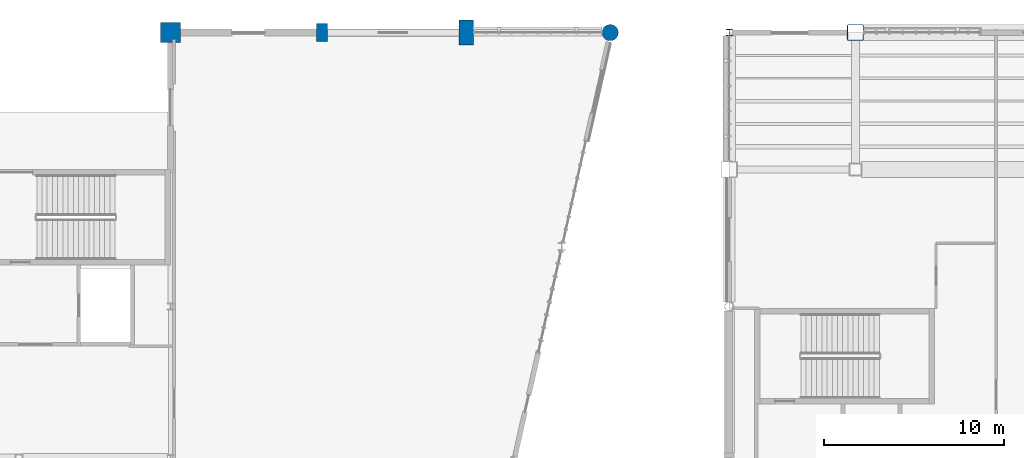
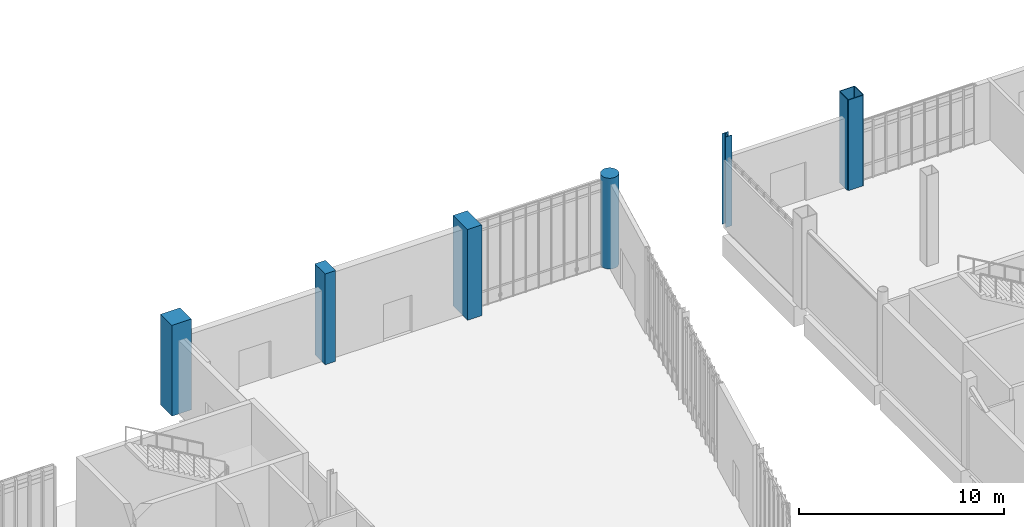
# One storey, part 11 of 111: 6 columns.
"""IFC4 building model written with IfcOpenShell, lengths in metres."""

from ifc_helpers import new_model, si_unit, direction, frame, origin, origin_2d, place, context, subcontext, project, spatial, rectangle, hollow_rectangle, circle, i_section, extrude, material, material_profile, profile_set, type_object, element, save


model = new_model("IFC4")

# Units and contexts
model_context = context("Model", 3, precision=1e-05, world=origin(), true_north=direction((0.0, 1.0)))
body_context = subcontext(model_context, "Body", "Model", "MODEL_VIEW")
ifc_project = project(units=[si_unit("LENGTHUNIT", "METRE"), si_unit("AREAUNIT", "SQUARE_METRE"), si_unit("VOLUMEUNIT", "CUBIC_METRE"), si_unit("PLANEANGLEUNIT", "RADIAN"), si_unit("MASSUNIT", "GRAM", prefix="KILO")], contexts=[model_context])

# Site, building, storey
site_placement = place(None, origin())
site = spatial("IfcSite", under=ifc_project, at=site_placement, CompositionType="ELEMENT")
building_placement = place(site_placement, origin())
building = spatial("IfcBuilding", under=site, at=building_placement, Name="Larkvane Passage Sports Hall", CompositionType="ELEMENT")
storey_placement = place(building_placement, origin())
storey = spatial("IfcBuildingStorey", under=building, at=storey_placement, Name="L00", CompositionType="ELEMENT", Elevation=0.0)

# Columns
ifc_material_1 = material(Name="Concrete C50/60", Category="concrete")
ifc_material_profile_1 = material_profile(ifc_material_1, circle(Radius=0.449951171875, at=origin_2d()), Name="RC-CIR-900")
ifc_profile_set_1 = profile_set([ifc_material_profile_1], Name="Concrete C50/60")
column_type_1 = type_object("IfcColumnType", Name="COL-CIR-900", PredefinedType="COLUMN", material=ifc_profile_set_1)
column_1_placement = place(storey_placement, frame((118.0, 99.199951171875, 0.0), z_axis=(0.0, 0.0, 1.0), x_axis=(1.0, 0.0, 0.0)))
element("IfcColumn", 1, at=column_1_placement, inside=storey, type_object=column_type_1, Name="Column 16/M L00", PredefinedType="COLUMN", context=body_context, shape_type="SweptSolid", body=[
    extrude(circle(Radius=0.449951171875, at=origin_2d()), origin(), (0.0, 0.0, 1.0), 5.39990234375),
])
ifc_material_profile_2 = material_profile(ifc_material_1, rectangle(XDim=1.10009765625, YDim=1.10009765625, at=origin_2d()), Name="RC-COL-1100x1100")
ifc_profile_set_2 = profile_set([ifc_material_profile_2], Name="Concrete C50/60")
column_type_2 = type_object("IfcColumnType", Name="COL-RC-1100", PredefinedType="COLUMN", material=ifc_profile_set_2)
column_2_placement = place(storey_placement, frame((93.60009765625, 99.199951171875, 0.0), z_axis=(0.0, 0.0, 1.0), x_axis=(1.0, 0.0, 0.0)))
element("IfcColumn", 2, at=column_2_placement, inside=storey, type_object=column_type_2, Name="Column 13/M L00", PredefinedType="COLUMN", context=body_context, shape_type="SweptSolid", body=[
    extrude(rectangle(XDim=1.10009765625, YDim=1.10009765625, at=origin_2d()), origin(), (0.0, 0.0, 1.0), 5.39990234375),
])
ifc_material_2 = material(Name="Concrete C40/50", Category="concrete")
ifc_material_profile_3 = material_profile(ifc_material_2, rectangle(XDim=0.60009765625, YDim=1.0, at=origin_2d()), Name="RC-COL-600x1000")
ifc_profile_set_3 = profile_set([ifc_material_profile_3], Name="Concrete C40/50")
column_type_3 = type_object("IfcColumnType", Name="COL-RC-600x1000", PredefinedType="COLUMN", material=ifc_profile_set_3)
column_3_placement = place(storey_placement, frame((102.0, 99.199951171875, 0.0), z_axis=(0.0, 0.0, 1.0), x_axis=(1.0, 0.0, 0.0)))
element("IfcColumn", 3, at=column_3_placement, inside=storey, type_object=column_type_3, Name="Column 14/M L00", PredefinedType="COLUMN", context=body_context, shape_type="SweptSolid", body=[
    extrude(rectangle(XDim=0.60009765625, YDim=1.0, at=origin_2d()), origin(), (0.0, 0.0, 1.0), 5.39990234375),
])
ifc_material_profile_4 = material_profile(ifc_material_1, rectangle(XDim=0.800048828125, YDim=1.39990234375, at=origin_2d()), Name="RC-COL-800x1400")
ifc_profile_set_4 = profile_set([ifc_material_profile_4], Name="Concrete C50/60")
column_type_4 = type_object("IfcColumnType", Name="COL-RC-800x1400", PredefinedType="COLUMN", material=ifc_profile_set_4)
column_4_placement = place(storey_placement, frame((110.0, 99.199951171875, 0.0), z_axis=(0.0, 0.0, 1.0), x_axis=(1.0, 0.0, 0.0)))
element("IfcColumn", 4, at=column_4_placement, inside=storey, type_object=column_type_4, Name="Column 15/M L00", PredefinedType="COLUMN", context=body_context, shape_type="SweptSolid", body=[
    extrude(rectangle(XDim=0.800048828125, YDim=1.39990234375, at=origin_2d()), origin(), (0.0, 0.0, 1.0), 5.39990234375),
])
ifc_material_3 = material(Name="Steel S460N", Category="steel")
ifc_material_profile_5 = material_profile(ifc_material_3, hollow_rectangle(XDim=0.89990234375, YDim=0.89990234375, WallThickness=0.035888671875, InnerFilletRadius=0.035888671875, OuterFilletRadius=0.072021484375, at=origin_2d()), Name="BOX-900x900x36")
ifc_profile_set_5 = profile_set([ifc_material_profile_5], Name="Steel S460N")
column_type_5 = type_object("IfcColumnType", Name="COL-STL-BOX900", PredefinedType="COLUMN", material=ifc_profile_set_5)
column_5_placement = place(storey_placement, frame((131.60009765625, 99.199951171875, 0.0), z_axis=(0.0, 0.0, 1.0), x_axis=(1.0, 0.0, 0.0)))
element("IfcColumn", 5, at=column_5_placement, inside=storey, type_object=column_type_5, Name="Column 18/M L00", PredefinedType="COLUMN", context=body_context, shape_type="SweptSolid", body=[
    extrude(hollow_rectangle(XDim=0.89990234375, YDim=0.89990234375, WallThickness=0.035888671875, InnerFilletRadius=0.035888671875, OuterFilletRadius=0.072021484375, at=origin_2d()), origin(), (0.0, 0.0, 1.0), 5.39990234375),
])
ifc_material_4 = material(Name="Steel S355JR", Category="steel")
ifc_material_profile_6 = material_profile(ifc_material_4, i_section(OverallWidth=0.35009765625, OverallDepth=0.35009765625, WebThickness=0.011962890625, FlangeThickness=0.01904296875, FilletRadius=0.012939453125, at=origin_2d()), Name="H-350x350x12x19")
ifc_profile_set_6 = profile_set([ifc_material_profile_6], Name="Steel S355JR")
column_type_6 = type_object("IfcColumnType", Name="COL-STL-H350", PredefinedType="COLUMN", material=ifc_profile_set_6)
column_6_placement = place(storey_placement, frame((124.60009765625, 99.199951171875, 0.0), z_axis=(0.0, 0.0, 1.0), x_axis=(1.0, 0.0, 0.0)))
element("IfcColumn", 6, at=column_6_placement, inside=storey, type_object=column_type_6, Name="Column 17/M L00", PredefinedType="COLUMN", context=body_context, shape_type="SweptSolid", body=[
    extrude(i_section(OverallWidth=0.35009765625, OverallDepth=0.35009765625, WebThickness=0.011962890625, FlangeThickness=0.01904296875, FilletRadius=0.012939453125, at=origin_2d()), origin(), (0.0, 0.0, 1.0), 5.39990234375),
])

save(model, "model.ifc")
